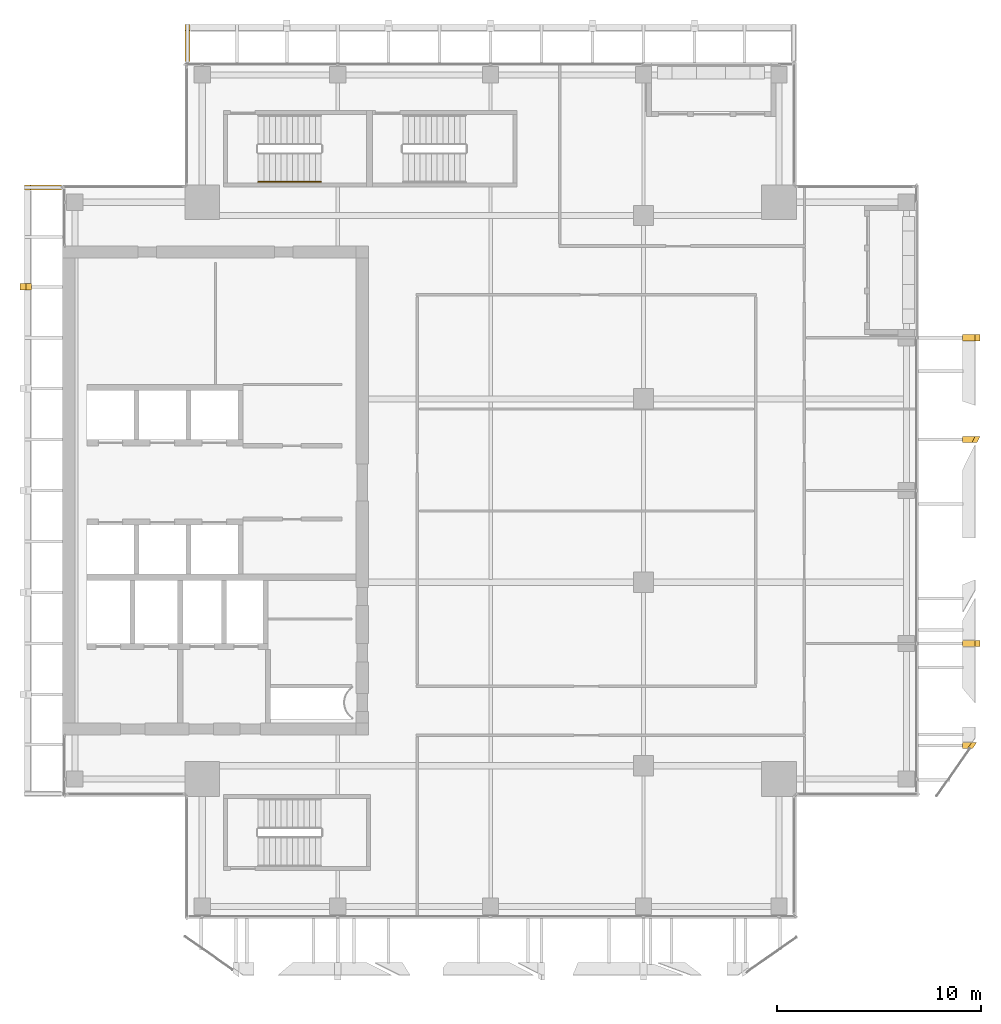
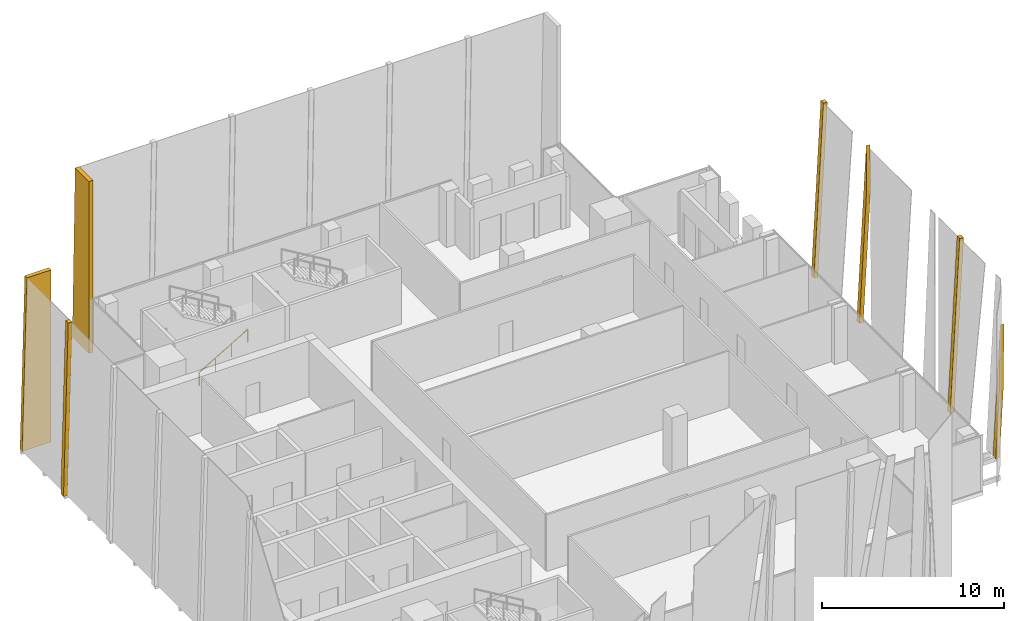
# One storey, part 30 of 32: 7 coverings, 1 railing.
"""IFC4 building model written with IfcOpenShell, lengths in metres."""

from ifc_helpers import new_model, si_unit, direction, frame, origin, origin_2d, place, context, subcontext, project, spatial, polyline, circle, outline, extrude, source, transform, mapped, material, layer, layer_set, type_object, element, save


model = new_model("IFC4")

# Units and contexts
model_context = context("Model", 3, precision=1e-05, world=origin(), true_north=direction((0.0, 1.0)))
body_context = subcontext(model_context, "Body", "Model", "MODEL_VIEW")
ifc_project = project(units=[si_unit("LENGTHUNIT", "METRE"), si_unit("AREAUNIT", "SQUARE_METRE"), si_unit("VOLUMEUNIT", "CUBIC_METRE"), si_unit("PLANEANGLEUNIT", "RADIAN"), si_unit("MASSUNIT", "GRAM", prefix="KILO")], contexts=[model_context])

# Site, building, storey
site_placement = place(None, origin())
site = spatial("IfcSite", under=ifc_project, at=site_placement, CompositionType="ELEMENT")
building_placement = place(site_placement, origin())
building = spatial("IfcBuilding", under=site, at=building_placement, Name="Khomas Fold Tower", CompositionType="ELEMENT")
storey_placement = place(building_placement, frame((0.0, 0.0, 306.199951171875)))
storey = spatial("IfcBuildingStorey", under=building, at=storey_placement, Name="L69", CompositionType="ELEMENT", Elevation=306.199951171875)

# Coverings
ifc_material_1 = material(Name="Natural stone cladding", Category="masonry")
ifc_layer = layer(ifc_material_1, 0.25)
ifc_layer_set = layer_set([ifc_layer], Name="Natural stone cladding")
covering_type = type_object("IfcCoveringType", Name="SK-Karibib marble stone mullion", PredefinedType="CLADDING", material=ifc_layer_set)
covering_1_placement = place(storey_placement, frame((50.15771484375, 14.35009765625, 0.0), z_axis=(-0.998629476826, 0.00013649009, 0.052336883602), x_axis=(0.052336884089, -1.197e-09, 0.998629486128)))
element("IfcCovering", 1, at=covering_1_placement, inside=storey, type_object=covering_type, Name="OUTER SKIN mullion L69 EM099-1", PredefinedType="CLADDING", context=body_context, shape_type="SweptSolid", body=[
    extrude(outline(polyline([(0.0, 0.0), (4.665571776697205, 6.776263578034403e-21), (8.671065644539029, 0.29980470067287324), (-3.589006164258358e-10, 0.2998046847073876), (0.0, 0.0)])), origin(), (0.0, 0.0, -1.0), 0.25),
])
covering_2_placement = place(storey_placement, frame((50.15771484375, 19.35009765625, 0.0), z_axis=(-0.99862882819, 0.0, 0.052349436554), x_axis=(0.052349436554, 0.0, 0.99862882819)))
element("IfcCovering", 2, at=covering_2_placement, inside=storey, type_object=covering_type, Name="OUTER SKIN mullion L69 EM100-6", PredefinedType="CLADDING", context=body_context, shape_type="SweptSolid", body=[
    extrude(outline(polyline([(0.0, 0.0), (11.565907674683308, 0.0), (11.565907674683308, 0.2998046875), (0.0, 0.2998046875), (0.0, 0.0)])), origin(), (0.0, 0.0, -1.0), 0.25),
])
covering_3_placement = place(storey_placement, frame((50.15771484375, 29.35009765625, 0.0), z_axis=(-0.998629190092, 0.000301366776, 0.052341664797), x_axis=(0.052341667173, -3.132e-09, 0.998629235441)))
element("IfcCovering", 3, at=covering_3_placement, inside=storey, type_object=covering_type, Name="OUTER SKIN mullion L69 EM102-8", PredefinedType="CLADDING", context=body_context, shape_type="SweptSolid", body=[
    extrude(outline(polyline([(0.0, 0.0), (8.728757197623898, 0.0), (11.565907673398064, 0.29858403416005663), (11.565907673394241, 0.2998047372296233), (-9.390308888982726e-10, 0.299804673885579), (0.0, 0.0)])), origin(), (0.0, 0.0, -1.0), 0.25),
])
covering_4_placement = place(storey_placement, frame((50.15771484375, 34.35009765625, 0.0), z_axis=(-0.99862882819, 0.0, 0.052349436554), x_axis=(0.052349436554, 0.0, 0.99862882819)))
element("IfcCovering", 4, at=covering_4_placement, inside=storey, type_object=covering_type, Name="OUTER SKIN mullion L69 EM103-11", PredefinedType="CLADDING", context=body_context, shape_type="SweptSolid", body=[
    extrude(outline(polyline([(0.0, 0.0), (11.565907674683308, 0.0), (11.565907674683308, 0.2998046875), (0.0, 0.2998046875), (0.0, 0.0)])), origin(), (0.0, 0.0, -1.0), 0.25),
])
covering_5_placement = place(storey_placement, frame((12.0, 48.050048828125, 11.550048828125), z_axis=(-1.0, 0.0, 0.0), x_axis=(0.0, 1.0, 0.0)))
element("IfcCovering", 5, at=covering_5_placement, inside=storey, type_object=covering_type, Name="OUTER SKIN return L69 N1", PredefinedType="CLADDING", context=body_context, shape_type="SweptSolid", body=[
    extrude(outline(polyline([(0.0, 0.0), (1.52734375, 0.0), (1.82958984375, 11.550048828125), (0.0, 11.550048828125), (0.0, 0.0)])), origin(), (0.0, 0.0, -1.0), 0.25),
])
covering_6_placement = place(storey_placement, frame((3.910400390625, 36.85009765625, 0.006591796875), z_axis=(-0.999657230839, 0.0, 0.026180543005), x_axis=(0.0, 1.0, 0.0)))
element("IfcCovering", 6, at=covering_6_placement, inside=storey, type_object=covering_type, Name="OUTER SKIN mullion L69 W10", PredefinedType="CLADDING", context=body_context, shape_type="SweptSolid", body=[
    extrude(outline(polyline([(0.0, 0.0), (0.2998046875, 0.0), (0.2998046875, -11.554009186164079), (0.0, -11.554009186164079), (0.0, 0.0)])), origin(), (0.0, 0.0, -1.0), 0.25),
])
covering_7_placement = place(storey_placement, frame((5.949951171875, 42.0, 0.0), z_axis=(0.0, 1.0, 0.0), x_axis=(-1.0, 0.0, 0.0)))
element("IfcCovering", 7, at=covering_7_placement, inside=storey, type_object=covering_type, Name="OUTER SKIN return L69 W2", PredefinedType="CLADDING", context=body_context, shape_type="SweptSolid", body=[
    extrude(outline(polyline([(0.0, 0.0), (1.82958984375, 0.0), (1.52734375, 11.550048828125), (0.0, 11.550048828125), (0.0, 0.0)])), origin(), (0.0, 0.0, -1.0), 0.25),
])

# Railing
ifc_material_2 = material(Name="Steel handrail", Category="steel")
railing_type = type_object("IfcRailingType", Name="Stair handrail", PredefinedType="HANDRAIL", material=ifc_material_2)
shared_shape = source(origin(), body_context, "Body", "SweptSolid", [
    extrude(circle(Radius=0.02392578125, at=origin_2d()), frame((0.0, 0.0, 0.8759765625), z_axis=(0.859290745958, 0.0, 0.51148745235), x_axis=(0.0, 1.0, 0.0)), (0.0, 0.0, 1.0), 3.584228515625),
    extrude(circle(Radius=0.02099609375, at=origin_2d()), origin(), (0.0, 0.0, 1.0), 0.851806640625),
    extrude(circle(Radius=0.02099609375, at=origin_2d()), frame((1.026611328125, 0.0, 0.611083984375)), (0.0, 0.0, 1.0), 0.851806640625),
    extrude(circle(Radius=0.02099609375, at=origin_2d()), frame((2.05322265625, 0.0, 1.22216796875)), (0.0, 0.0, 1.0), 0.851806640625),
    extrude(circle(Radius=0.02099609375, at=origin_2d()), frame((3.079833984375, 0.0, 1.833251953125)), (0.0, 0.0, 1.0), 0.851806640625),
])
railing_placement = place(storey_placement, frame((15.60009765625, 42.14990234375, 0.166748046875)))
element("IfcRailing", 8, at=railing_placement, inside=storey, type_object=railing_type, Name="L69 ST1 stair handrail 1", PredefinedType="HANDRAIL", context=body_context, shape_type="MappedRepresentation", body=[
    mapped(shared_shape, transform((0.0, 0.0, 0.0))),
])

save(model, "model.ifc")
